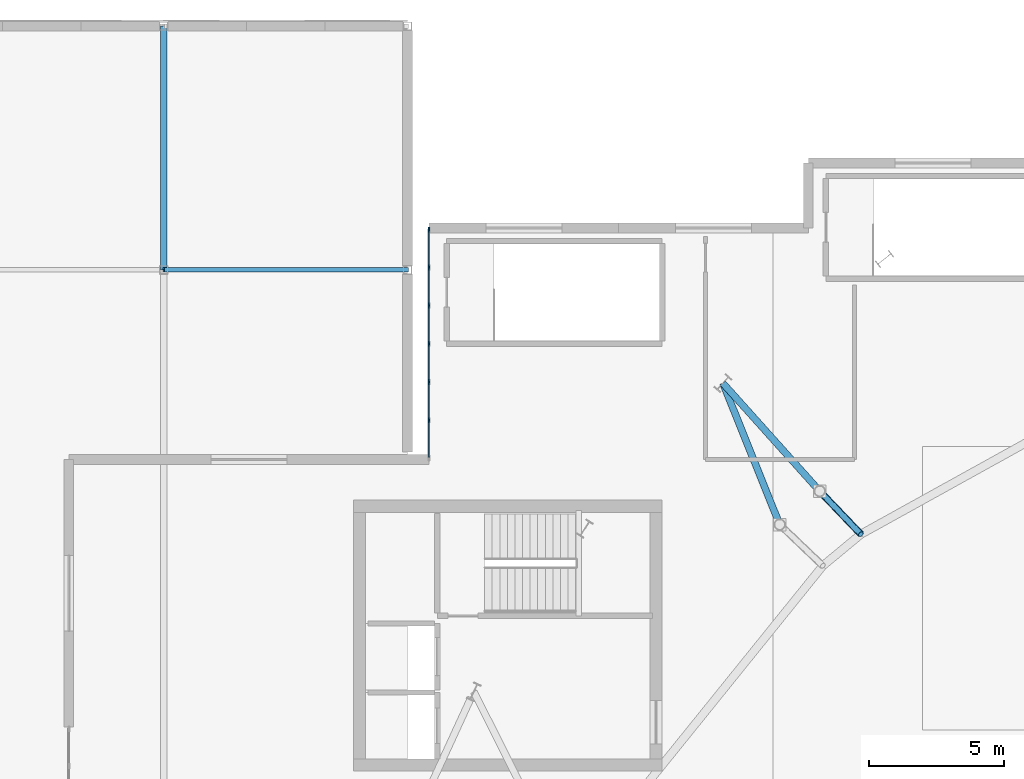
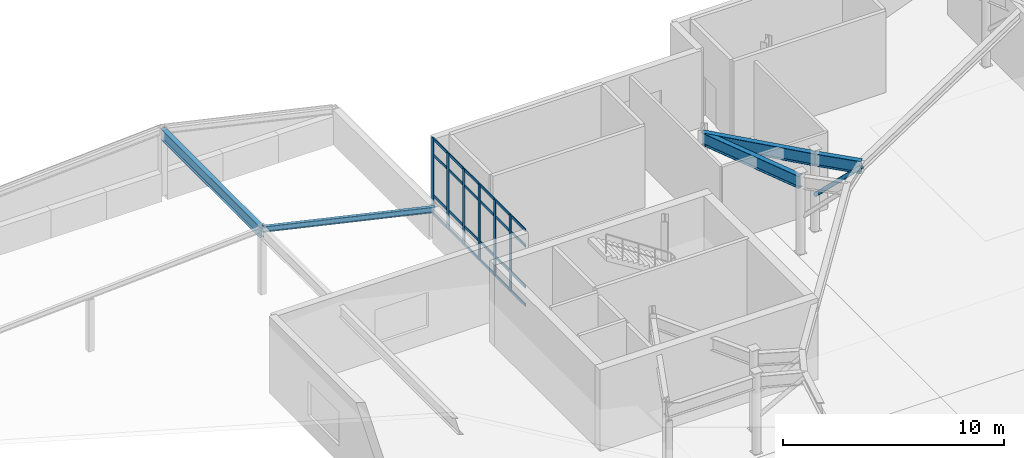
# One storey, part 25 of 48: 31 members, 5 beams, 1 element without a shape of its own.
"""IFC4 building model written with IfcOpenShell, lengths in metres."""

from ifc_helpers import new_model, si_unit, direction, frame, origin, origin_2d, place, context, subcontext, project, spatial, rectangle, hollow_circle, i_section, extrude, material, material_profile, profile_set, type_object, element, aggregate, save


model = new_model("IFC4")

# Units and contexts
model_context = context("Model", 3, precision=1e-05, world=origin(), true_north=direction((0.0, 1.0)))
body_context = subcontext(model_context, "Body", "Model", "MODEL_VIEW")
ifc_project = project(units=[si_unit("LENGTHUNIT", "METRE"), si_unit("AREAUNIT", "SQUARE_METRE"), si_unit("VOLUMEUNIT", "CUBIC_METRE"), si_unit("PLANEANGLEUNIT", "RADIAN"), si_unit("MASSUNIT", "GRAM", prefix="KILO")], contexts=[model_context])

# Site, building, storey
site_placement = place(None, origin())
site = spatial("IfcSite", under=ifc_project, at=site_placement, CompositionType="ELEMENT")
building_placement = place(site_placement, origin())
building = spatial("IfcBuilding", under=site, at=building_placement, Name="Glasvene Arena", CompositionType="ELEMENT")
storey_placement = place(building_placement, frame((0.0, 0.0, 19.5)))
storey = spatial("IfcBuildingStorey", under=building, at=storey_placement, Name="L04", CompositionType="ELEMENT", Elevation=19.5)

# Beams
ifc_material_1 = material(Name="Steel S355J2", Category="steel")
ifc_material_profile_1 = material_profile(ifc_material_1, i_section(OverallWidth=0.228271484375, OverallDepth=0.607666015625, WebThickness=0.010986328125, FlangeThickness=0.017333984375, FilletRadius=0.0126953125, at=origin_2d()), Name="UKB 610x229x113")
ifc_profile_set_1 = profile_set([ifc_material_profile_1], Name="Steel S355J2")
beam_type_1 = type_object("IfcBeamType", Name="BM-GIRD-610", PredefinedType="BEAM", material=ifc_profile_set_1)
beam_1_placement = place(storey_placement, frame((36.0, 109.0, 3.3798828125), z_axis=(0.0, 1.0, 0.0), x_axis=(-1.0, 0.0, 0.0)))
element("IfcBeam", 1, at=beam_1_placement, inside=storey, type_object=beam_type_1, Name="Wing roof ridge beam V4-109", PredefinedType="BEAM", context=body_context, shape_type="SweptSolid", body=[
    extrude(i_section(OverallWidth=0.228271484375, OverallDepth=0.607666015625, WebThickness=0.010986328125, FlangeThickness=0.017333984375, FilletRadius=0.0126953125, at=origin_2d()), origin(), (0.0, 0.0, 1.0), 9.0),
])
ifc_material_profile_2 = material_profile(ifc_material_1, i_section(OverallWidth=0.253662109375, OverallDepth=0.68359375, WebThickness=0.012451171875, FlangeThickness=0.01904296875, FilletRadius=0.01513671875, at=origin_2d()), Name="UKB 686x254x140")
ifc_profile_set_2 = profile_set([ifc_material_profile_2], Name="Steel S355J2")
beam_type_2 = type_object("IfcBeamType", Name="BM-GIRD-686", PredefinedType="BEAM", material=ifc_profile_set_2)
beam_2_placement = place(storey_placement, frame((60.219482421875, 100.834228515625, 3.908203125), z_axis=(-0.667691455448, 0.744438123904, 0.0), x_axis=(-0.744438123904, -0.667691455448, 0.0)))
element("IfcBeam", 2, at=beam_2_placement, inside=storey, type_object=beam_type_2, Name="Gondola outer floor beam 12", PredefinedType="BEAM", context=body_context, shape_type="SweptSolid", body=[
    extrude(i_section(OverallWidth=0.253662109375, OverallDepth=0.68359375, WebThickness=0.012451171875, FlangeThickness=0.01904296875, FilletRadius=0.01513671875, at=origin_2d()), origin(), (0.0, 0.0, 1.0), 5.353759765625),
])
beam_3_placement = place(storey_placement, frame((61.739501953125, 99.24365234375, 3.908203125), z_axis=(-0.690889995843, 0.722959897674, 0.0), x_axis=(-0.722959897674, -0.690889995843, 0.0)))
element("IfcBeam", 3, at=beam_3_placement, inside=storey, type_object=beam_type_2, Name="Gondola inner bracket beam 12", PredefinedType="BEAM", context=body_context, shape_type="SweptSolid", body=[
    extrude(i_section(OverallWidth=0.253662109375, OverallDepth=0.68359375, WebThickness=0.012451171875, FlangeThickness=0.01904296875, FilletRadius=0.01513671875, at=origin_2d()), origin(), (0.0, 0.0, 1.0), 2.2001953125),
])
beam_4_placement = place(storey_placement, frame((58.743408203125, 99.59912109375, 3.908203125), z_axis=(-0.372976095384, 0.927840952034, 0.0), x_axis=(-0.927840952034, -0.372976095384, 0.0)))
element("IfcBeam", 4, at=beam_4_placement, inside=storey, type_object=beam_type_2, Name="Gondola outer floor beam 13", PredefinedType="BEAM", context=body_context, shape_type="SweptSolid", body=[
    extrude(i_section(OverallWidth=0.253662109375, OverallDepth=0.68359375, WebThickness=0.012451171875, FlangeThickness=0.01904296875, FilletRadius=0.01513671875, at=origin_2d()), origin(), (0.0, 0.0, 1.0), 5.626708984375),
])
ifc_material_profile_3 = material_profile(ifc_material_1, i_section(OverallWidth=0.1650390625, OverallDepth=0.303466796875, WebThickness=0.006103515625, FlangeThickness=0.01025390625, FilletRadius=0.0087890625, at=origin_2d()), Name="UKB 305x165x40")
ifc_profile_set_3 = profile_set([ifc_material_profile_3], Name="Steel S355J2")
beam_type_3 = type_object("IfcBeamType", Name="BM-RAFTER-305", PredefinedType="BEAM", material=ifc_profile_set_3)
beam_5_placement = place(storey_placement, frame((36.0, 109.0, 3.5400390625), z_axis=(0.975025177188, 0.0, -0.222094357987), x_axis=(0.0, 1.0, 0.0)))
element("IfcBeam", 5, at=beam_5_placement, inside=storey, type_object=beam_type_3, Name="Wing roof rafter V4-E-109", PredefinedType="BEAM", context=body_context, shape_type="SweptSolid", body=[
    extrude(i_section(OverallWidth=0.1650390625, OverallDepth=0.303466796875, WebThickness=0.006103515625, FlangeThickness=0.01025390625, FilletRadius=0.0087890625, at=origin_2d()), origin(), (0.0, 0.0, 1.0), 9.23046875),
])

# Curtain wall, members
ifc_material_2 = material(Name="Low-emissivity laminated double glazing", Category="glass")
curtain_wall_type = type_object("IfcCurtainWallType", Name="CW-FAC-L04-847x419", PredefinedType="USERDEFINED", material=ifc_material_2)
curtain_wall_placement = place(storey_placement, frame((45.800048828125, 102.0400390625, 0.0)))
curtain_wall = element("IfcCurtainWall", 6, at=curtain_wall_placement, inside=storey, type_object=curtain_wall_type, Name="Unitised curtain wall CW-F-L04-180-458-1063-16", ObjectType="CURTAIN WALL", PredefinedType="USERDEFINED")
ifc_material_3 = material(Name="Anodised architectural aluminium", Category="aluminium")
ifc_material_profile_4 = material_profile(ifc_material_3, rectangle(XDim=0.050048828125, YDim=0.199951171875, at=origin_2d()), Name="ALU MULLION 50x200")
ifc_profile_set_4 = profile_set([ifc_material_profile_4], Name="Anodised architectural aluminium")
member_type_1 = type_object("IfcMemberType", Name="CW-MUL-180", PredefinedType="MULLION", material=ifc_profile_set_4)
member_1_placement = place(storey_placement, frame((45.800048828125, 103.45166015625, 0.06005859375), z_axis=(0.0, 0.0, 1.0), x_axis=(-1.0, 0.0, 0.0)))
member_1 = element("IfcMember", 7, at=member_1_placement, type_object=member_type_1, Name="CW-048 mullion 2", PredefinedType="MULLION", context=body_context, shape_type="SweptSolid", body=[
    extrude(rectangle(XDim=0.050048828125, YDim=0.199951171875, at=origin_2d()), origin(), (0.0, 0.0, 1.0), 4.18994140625),
])
member_2_placement = place(storey_placement, frame((45.800048828125, 104.86328125, 0.06005859375), z_axis=(0.0, 0.0, 1.0), x_axis=(-1.0, 0.0, 0.0)))
member_2 = element("IfcMember", 8, at=member_2_placement, type_object=member_type_1, Name="CW-048 mullion 3", PredefinedType="MULLION", context=body_context, shape_type="SweptSolid", body=[
    extrude(rectangle(XDim=0.050048828125, YDim=0.199951171875, at=origin_2d()), origin(), (0.0, 0.0, 1.0), 4.18994140625),
])
member_3_placement = place(storey_placement, frame((45.800048828125, 106.27490234375, 0.06005859375), z_axis=(0.0, 0.0, 1.0), x_axis=(-1.0, 0.0, 0.0)))
member_3 = element("IfcMember", 9, at=member_3_placement, type_object=member_type_1, Name="CW-048 mullion 4", PredefinedType="MULLION", context=body_context, shape_type="SweptSolid", body=[
    extrude(rectangle(XDim=0.050048828125, YDim=0.199951171875, at=origin_2d()), origin(), (0.0, 0.0, 1.0), 4.18994140625),
])
member_4_placement = place(storey_placement, frame((45.800048828125, 107.686767578125, 0.06005859375), z_axis=(0.0, 0.0, 1.0), x_axis=(-1.0, 0.0, 0.0)))
member_4 = element("IfcMember", 10, at=member_4_placement, type_object=member_type_1, Name="CW-048 mullion 5", PredefinedType="MULLION", context=body_context, shape_type="SweptSolid", body=[
    extrude(rectangle(XDim=0.050048828125, YDim=0.199951171875, at=origin_2d()), origin(), (0.0, 0.0, 1.0), 4.18994140625),
])
member_5_placement = place(storey_placement, frame((45.800048828125, 109.098388671875, 0.06005859375), z_axis=(0.0, 0.0, 1.0), x_axis=(-1.0, 0.0, 0.0)))
member_5 = element("IfcMember", 11, at=member_5_placement, type_object=member_type_1, Name="CW-048 mullion 6", PredefinedType="MULLION", context=body_context, shape_type="SweptSolid", body=[
    extrude(rectangle(XDim=0.050048828125, YDim=0.199951171875, at=origin_2d()), origin(), (0.0, 0.0, 1.0), 4.18994140625),
])
member_6_placement = place(storey_placement, frame((45.800048828125, 110.485107421875, 0.06005859375), z_axis=(0.0, 0.0, 1.0), x_axis=(-1.0, 0.0, 0.0)))
member_6 = element("IfcMember", 12, at=member_6_placement, type_object=member_type_1, Name="CW-048 mullion 7", PredefinedType="MULLION", context=body_context, shape_type="SweptSolid", body=[
    extrude(rectangle(XDim=0.050048828125, YDim=0.199951171875, at=origin_2d()), origin(), (0.0, 0.0, 1.0), 4.18994140625),
])
ifc_material_profile_5 = material_profile(ifc_material_3, rectangle(XDim=0.050048828125, YDim=0.14990234375, at=origin_2d()), Name="ALU TRANSOM 50x150")
ifc_profile_set_5 = profile_set([ifc_material_profile_5], Name="Anodised architectural aluminium")
member_type_2 = type_object("IfcMemberType", Name="CW-TRN-150", PredefinedType="USERDEFINED", material=ifc_profile_set_5)
member_7_placement = place(storey_placement, frame((45.800048828125, 102.090087890625, 0.0849609375), z_axis=(0.0, 1.0, 0.0), x_axis=(-1.0, 0.0, 0.0)))
member_7 = element("IfcMember", 13, at=member_7_placement, type_object=member_type_2, Name="CW-048 transom 1.1", ObjectType="TRANSOM", PredefinedType="USERDEFINED", context=body_context, shape_type="SweptSolid", body=[
    extrude(rectangle(XDim=0.050048828125, YDim=0.14990234375, at=origin_2d()), origin(), (0.0, 0.0, 1.0), 1.336669921875),
])
member_8_placement = place(storey_placement, frame((45.800048828125, 102.090087890625, 1.10009765625), z_axis=(0.0, 1.0, 0.0), x_axis=(-1.0, 0.0, 0.0)))
member_8 = element("IfcMember", 14, at=member_8_placement, type_object=member_type_2, Name="CW-048 transom 1.2", ObjectType="TRANSOM", PredefinedType="USERDEFINED", context=body_context, shape_type="SweptSolid", body=[
    extrude(rectangle(XDim=0.050048828125, YDim=0.14990234375, at=origin_2d()), origin(), (0.0, 0.0, 1.0), 1.336669921875),
])
member_9_placement = place(storey_placement, frame((45.800048828125, 102.090087890625, 3.35009765625), z_axis=(0.0, 1.0, 0.0), x_axis=(-1.0, 0.0, 0.0)))
member_9 = element("IfcMember", 15, at=member_9_placement, type_object=member_type_2, Name="CW-048 transom 1.3", ObjectType="TRANSOM", PredefinedType="USERDEFINED", context=body_context, shape_type="SweptSolid", body=[
    extrude(rectangle(XDim=0.050048828125, YDim=0.14990234375, at=origin_2d()), origin(), (0.0, 0.0, 1.0), 1.336669921875),
])
member_10_placement = place(storey_placement, frame((45.800048828125, 102.090087890625, 4.22509765625), z_axis=(0.0, 1.0, 0.0), x_axis=(-1.0, 0.0, 0.0)))
member_10 = element("IfcMember", 16, at=member_10_placement, type_object=member_type_2, Name="CW-048 transom 1.4", ObjectType="TRANSOM", PredefinedType="USERDEFINED", context=body_context, shape_type="SweptSolid", body=[
    extrude(rectangle(XDim=0.050048828125, YDim=0.14990234375, at=origin_2d()), origin(), (0.0, 0.0, 1.0), 1.336669921875),
])
member_11_placement = place(storey_placement, frame((45.800048828125, 103.4765625, 0.0849609375), z_axis=(0.0, 1.0, 0.0), x_axis=(-1.0, 0.0, 0.0)))
member_11 = element("IfcMember", 17, at=member_11_placement, type_object=member_type_2, Name="CW-048 transom 2.1", ObjectType="TRANSOM", PredefinedType="USERDEFINED", context=body_context, shape_type="SweptSolid", body=[
    extrude(rectangle(XDim=0.050048828125, YDim=0.14990234375, at=origin_2d()), origin(), (0.0, 0.0, 1.0), 1.36181640625),
])
member_12_placement = place(storey_placement, frame((45.800048828125, 103.4765625, 1.10009765625), z_axis=(0.0, 1.0, 0.0), x_axis=(-1.0, 0.0, 0.0)))
member_12 = element("IfcMember", 18, at=member_12_placement, type_object=member_type_2, Name="CW-048 transom 2.2", ObjectType="TRANSOM", PredefinedType="USERDEFINED", context=body_context, shape_type="SweptSolid", body=[
    extrude(rectangle(XDim=0.050048828125, YDim=0.14990234375, at=origin_2d()), origin(), (0.0, 0.0, 1.0), 1.36181640625),
])
member_13_placement = place(storey_placement, frame((45.800048828125, 103.4765625, 3.35009765625), z_axis=(0.0, 1.0, 0.0), x_axis=(-1.0, 0.0, 0.0)))
member_13 = element("IfcMember", 19, at=member_13_placement, type_object=member_type_2, Name="CW-048 transom 2.3", ObjectType="TRANSOM", PredefinedType="USERDEFINED", context=body_context, shape_type="SweptSolid", body=[
    extrude(rectangle(XDim=0.050048828125, YDim=0.14990234375, at=origin_2d()), origin(), (0.0, 0.0, 1.0), 1.36181640625),
])
member_14_placement = place(storey_placement, frame((45.800048828125, 103.4765625, 4.22509765625), z_axis=(0.0, 1.0, 0.0), x_axis=(-1.0, 0.0, 0.0)))
member_14 = element("IfcMember", 20, at=member_14_placement, type_object=member_type_2, Name="CW-048 transom 2.4", ObjectType="TRANSOM", PredefinedType="USERDEFINED", context=body_context, shape_type="SweptSolid", body=[
    extrude(rectangle(XDim=0.050048828125, YDim=0.14990234375, at=origin_2d()), origin(), (0.0, 0.0, 1.0), 1.36181640625),
])
member_15_placement = place(storey_placement, frame((45.800048828125, 104.888427734375, 0.0849609375), z_axis=(0.0, 1.0, 0.0), x_axis=(-1.0, 0.0, 0.0)))
member_15 = element("IfcMember", 21, at=member_15_placement, type_object=member_type_2, Name="CW-048 transom 3.1", ObjectType="TRANSOM", PredefinedType="USERDEFINED", context=body_context, shape_type="SweptSolid", body=[
    extrude(rectangle(XDim=0.050048828125, YDim=0.14990234375, at=origin_2d()), origin(), (0.0, 0.0, 1.0), 1.361572265625),
])
member_16_placement = place(storey_placement, frame((45.800048828125, 104.888427734375, 1.10009765625), z_axis=(0.0, 1.0, 0.0), x_axis=(-1.0, 0.0, 0.0)))
member_16 = element("IfcMember", 22, at=member_16_placement, type_object=member_type_2, Name="CW-048 transom 3.2", ObjectType="TRANSOM", PredefinedType="USERDEFINED", context=body_context, shape_type="SweptSolid", body=[
    extrude(rectangle(XDim=0.050048828125, YDim=0.14990234375, at=origin_2d()), origin(), (0.0, 0.0, 1.0), 1.361572265625),
])
member_17_placement = place(storey_placement, frame((45.800048828125, 104.888427734375, 3.35009765625), z_axis=(0.0, 1.0, 0.0), x_axis=(-1.0, 0.0, 0.0)))
member_17 = element("IfcMember", 23, at=member_17_placement, type_object=member_type_2, Name="CW-048 transom 3.3", ObjectType="TRANSOM", PredefinedType="USERDEFINED", context=body_context, shape_type="SweptSolid", body=[
    extrude(rectangle(XDim=0.050048828125, YDim=0.14990234375, at=origin_2d()), origin(), (0.0, 0.0, 1.0), 1.361572265625),
])
member_18_placement = place(storey_placement, frame((45.800048828125, 104.888427734375, 4.22509765625), z_axis=(0.0, 1.0, 0.0), x_axis=(-1.0, 0.0, 0.0)))
member_18 = element("IfcMember", 24, at=member_18_placement, type_object=member_type_2, Name="CW-048 transom 3.4", ObjectType="TRANSOM", PredefinedType="USERDEFINED", context=body_context, shape_type="SweptSolid", body=[
    extrude(rectangle(XDim=0.050048828125, YDim=0.14990234375, at=origin_2d()), origin(), (0.0, 0.0, 1.0), 1.361572265625),
])
member_19_placement = place(storey_placement, frame((45.800048828125, 106.300048828125, 0.0849609375), z_axis=(0.0, 1.0, 0.0), x_axis=(-1.0, 0.0, 0.0)))
member_19 = element("IfcMember", 25, at=member_19_placement, type_object=member_type_2, Name="CW-048 transom 4.1", ObjectType="TRANSOM", PredefinedType="USERDEFINED", context=body_context, shape_type="SweptSolid", body=[
    extrude(rectangle(XDim=0.050048828125, YDim=0.14990234375, at=origin_2d()), origin(), (0.0, 0.0, 1.0), 1.361572265625),
])
member_20_placement = place(storey_placement, frame((45.800048828125, 106.300048828125, 1.10009765625), z_axis=(0.0, 1.0, 0.0), x_axis=(-1.0, 0.0, 0.0)))
member_20 = element("IfcMember", 26, at=member_20_placement, type_object=member_type_2, Name="CW-048 transom 4.2", ObjectType="TRANSOM", PredefinedType="USERDEFINED", context=body_context, shape_type="SweptSolid", body=[
    extrude(rectangle(XDim=0.050048828125, YDim=0.14990234375, at=origin_2d()), origin(), (0.0, 0.0, 1.0), 1.361572265625),
])
member_21_placement = place(storey_placement, frame((45.800048828125, 106.300048828125, 3.35009765625), z_axis=(0.0, 1.0, 0.0), x_axis=(-1.0, 0.0, 0.0)))
member_21 = element("IfcMember", 27, at=member_21_placement, type_object=member_type_2, Name="CW-048 transom 4.3", ObjectType="TRANSOM", PredefinedType="USERDEFINED", context=body_context, shape_type="SweptSolid", body=[
    extrude(rectangle(XDim=0.050048828125, YDim=0.14990234375, at=origin_2d()), origin(), (0.0, 0.0, 1.0), 1.361572265625),
])
member_22_placement = place(storey_placement, frame((45.800048828125, 106.300048828125, 4.22509765625), z_axis=(0.0, 1.0, 0.0), x_axis=(-1.0, 0.0, 0.0)))
member_22 = element("IfcMember", 28, at=member_22_placement, type_object=member_type_2, Name="CW-048 transom 4.4", ObjectType="TRANSOM", PredefinedType="USERDEFINED", context=body_context, shape_type="SweptSolid", body=[
    extrude(rectangle(XDim=0.050048828125, YDim=0.14990234375, at=origin_2d()), origin(), (0.0, 0.0, 1.0), 1.361572265625),
])
member_23_placement = place(storey_placement, frame((45.800048828125, 107.711669921875, 0.0849609375), z_axis=(0.0, 1.0, 0.0), x_axis=(-1.0, 0.0, 0.0)))
member_23 = element("IfcMember", 29, at=member_23_placement, type_object=member_type_2, Name="CW-048 transom 5.1", ObjectType="TRANSOM", PredefinedType="USERDEFINED", context=body_context, shape_type="SweptSolid", body=[
    extrude(rectangle(XDim=0.050048828125, YDim=0.14990234375, at=origin_2d()), origin(), (0.0, 0.0, 1.0), 1.361572265625),
])
member_24_placement = place(storey_placement, frame((45.800048828125, 107.711669921875, 1.10009765625), z_axis=(0.0, 1.0, 0.0), x_axis=(-1.0, 0.0, 0.0)))
member_24 = element("IfcMember", 30, at=member_24_placement, type_object=member_type_2, Name="CW-048 transom 5.2", ObjectType="TRANSOM", PredefinedType="USERDEFINED", context=body_context, shape_type="SweptSolid", body=[
    extrude(rectangle(XDim=0.050048828125, YDim=0.14990234375, at=origin_2d()), origin(), (0.0, 0.0, 1.0), 1.361572265625),
])
member_25_placement = place(storey_placement, frame((45.800048828125, 107.711669921875, 3.35009765625), z_axis=(0.0, 1.0, 0.0), x_axis=(-1.0, 0.0, 0.0)))
member_25 = element("IfcMember", 31, at=member_25_placement, type_object=member_type_2, Name="CW-048 transom 5.3", ObjectType="TRANSOM", PredefinedType="USERDEFINED", context=body_context, shape_type="SweptSolid", body=[
    extrude(rectangle(XDim=0.050048828125, YDim=0.14990234375, at=origin_2d()), origin(), (0.0, 0.0, 1.0), 1.361572265625),
])
member_26_placement = place(storey_placement, frame((45.800048828125, 107.711669921875, 4.22509765625), z_axis=(0.0, 1.0, 0.0), x_axis=(-1.0, 0.0, 0.0)))
member_26 = element("IfcMember", 32, at=member_26_placement, type_object=member_type_2, Name="CW-048 transom 5.4", ObjectType="TRANSOM", PredefinedType="USERDEFINED", context=body_context, shape_type="SweptSolid", body=[
    extrude(rectangle(XDim=0.050048828125, YDim=0.14990234375, at=origin_2d()), origin(), (0.0, 0.0, 1.0), 1.361572265625),
])
member_27_placement = place(storey_placement, frame((45.800048828125, 109.123291015625, 0.0849609375), z_axis=(0.0, 1.0, 0.0), x_axis=(-1.0, 0.0, 0.0)))
member_27 = element("IfcMember", 33, at=member_27_placement, type_object=member_type_2, Name="CW-048 transom 6.1", ObjectType="TRANSOM", PredefinedType="USERDEFINED", context=body_context, shape_type="SweptSolid", body=[
    extrude(rectangle(XDim=0.050048828125, YDim=0.14990234375, at=origin_2d()), origin(), (0.0, 0.0, 1.0), 1.336669921875),
])
member_28_placement = place(storey_placement, frame((45.800048828125, 109.123291015625, 1.10009765625), z_axis=(0.0, 1.0, 0.0), x_axis=(-1.0, 0.0, 0.0)))
member_28 = element("IfcMember", 34, at=member_28_placement, type_object=member_type_2, Name="CW-048 transom 6.2", ObjectType="TRANSOM", PredefinedType="USERDEFINED", context=body_context, shape_type="SweptSolid", body=[
    extrude(rectangle(XDim=0.050048828125, YDim=0.14990234375, at=origin_2d()), origin(), (0.0, 0.0, 1.0), 1.336669921875),
])
member_29_placement = place(storey_placement, frame((45.800048828125, 109.123291015625, 3.35009765625), z_axis=(0.0, 1.0, 0.0), x_axis=(-1.0, 0.0, 0.0)))
member_29 = element("IfcMember", 35, at=member_29_placement, type_object=member_type_2, Name="CW-048 transom 6.3", ObjectType="TRANSOM", PredefinedType="USERDEFINED", context=body_context, shape_type="SweptSolid", body=[
    extrude(rectangle(XDim=0.050048828125, YDim=0.14990234375, at=origin_2d()), origin(), (0.0, 0.0, 1.0), 1.336669921875),
])
member_30_placement = place(storey_placement, frame((45.800048828125, 109.123291015625, 4.22509765625), z_axis=(0.0, 1.0, 0.0), x_axis=(-1.0, 0.0, 0.0)))
member_30 = element("IfcMember", 36, at=member_30_placement, type_object=member_type_2, Name="CW-048 transom 6.4", ObjectType="TRANSOM", PredefinedType="USERDEFINED", context=body_context, shape_type="SweptSolid", body=[
    extrude(rectangle(XDim=0.050048828125, YDim=0.14990234375, at=origin_2d()), origin(), (0.0, 0.0, 1.0), 1.336669921875),
])
aggregate(curtain_wall, [member_1, member_2, member_3, member_4, member_5, member_6, member_7, member_8, member_9, member_10, member_11, member_12, member_13, member_14, member_15, member_16, member_17, member_18, member_19, member_20, member_21, member_22, member_23, member_24, member_25, member_26, member_27, member_28, member_29, member_30])

# Member
ifc_material_profile_6 = material_profile(ifc_material_1, hollow_circle(Radius=0.109619140625, WallThickness=0.010009765625, at=origin_2d()), Name="CHS 219.1x10.0")
ifc_profile_set_6 = profile_set([ifc_material_profile_6], Name="Steel S355J2")
member_type_3 = type_object("IfcMemberType", Name="MB-WEB-CHS219", PredefinedType="BRACE", material=ifc_profile_set_6)
member_31_placement = place(storey_placement, frame((60.219482421875, 100.834228515625, 1.89990234375), z_axis=(0.511226559656, -0.534956799897, 0.672657882542), x_axis=(0.722959897674, 0.690889995843, 0.0)))
element("IfcMember", 37, at=member_31_placement, inside=storey, type_object=member_type_3, Name="Gondola inclined knee strut 12", PredefinedType="BRACE", context=body_context, shape_type="SweptSolid", body=[
    extrude(hollow_circle(Radius=0.109619140625, WallThickness=0.010009765625, at=origin_2d()), origin(), (0.0, 0.0, 1.0), 2.973388671875),
])

save(model, "model.ifc")
